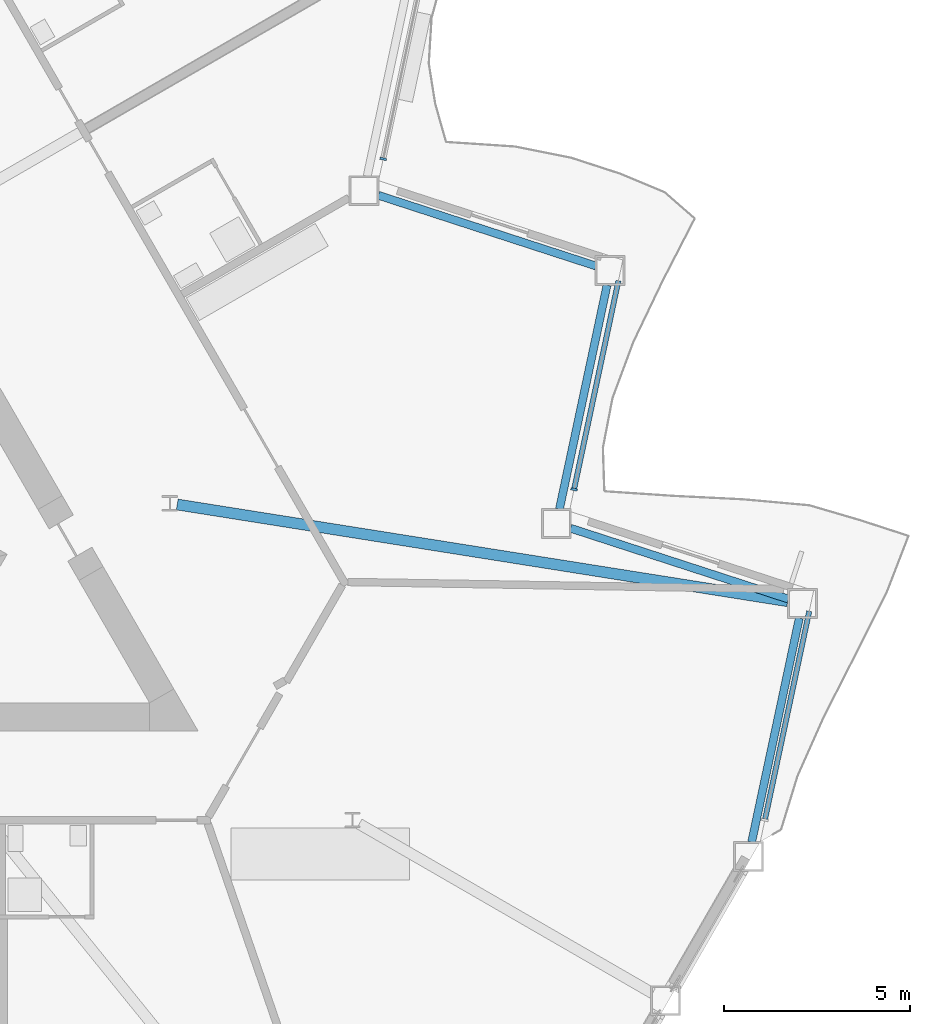
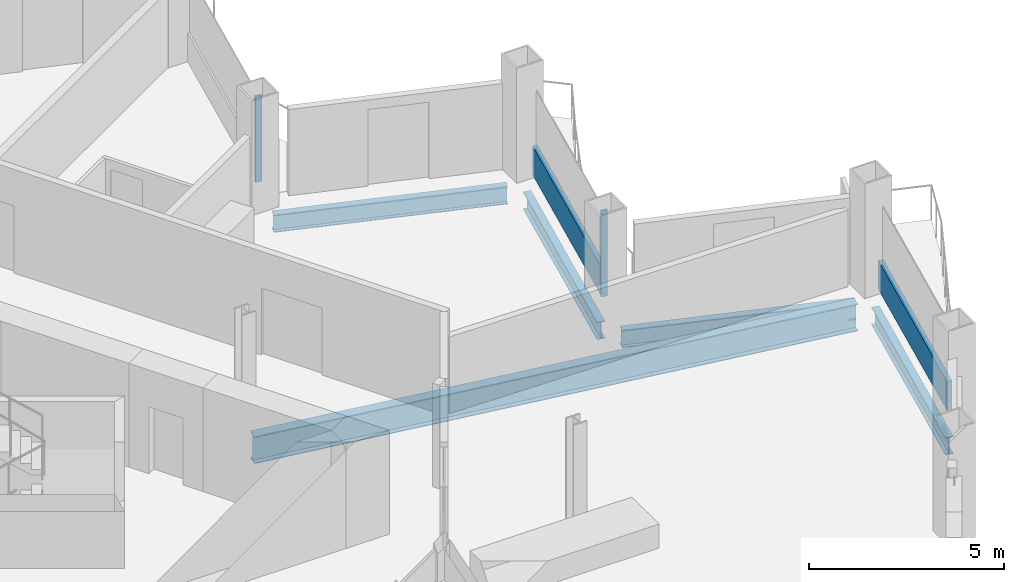
# One storey, part 6 of 23: 5 beams, 4 members, 3 elements without a shape of their own.
"""IFC4 building model written with IfcOpenShell, lengths in metres."""

from ifc_helpers import new_model, si_unit, direction, frame, origin, origin_2d, place, context, subcontext, project, spatial, rectangle, i_section, extrude, material, layer, layer_set, material_profile, profile_set, type_object, element, aggregate, save


model = new_model("IFC4")

# Units and contexts
model_context = context("Model", 3, precision=1e-05, world=origin(), true_north=direction((0.0, 1.0)))
body_context = subcontext(model_context, "Body", "Model", "MODEL_VIEW")
ifc_project = project(units=[si_unit("LENGTHUNIT", "METRE"), si_unit("AREAUNIT", "SQUARE_METRE"), si_unit("VOLUMEUNIT", "CUBIC_METRE"), si_unit("PLANEANGLEUNIT", "RADIAN"), si_unit("MASSUNIT", "GRAM", prefix="KILO")], contexts=[model_context])

# Site, building, storey
site_placement = place(None, origin())
site = spatial("IfcSite", under=ifc_project, at=site_placement, CompositionType="ELEMENT")
building_placement = place(site_placement, origin())
building = spatial("IfcBuilding", under=site, at=building_placement, Name="Cormorant Prow Tower", CompositionType="ELEMENT")
storey_placement = place(building_placement, frame((0.0, 0.0, 183.60009765625)))
storey = spatial("IfcBuildingStorey", under=building, at=storey_placement, Name="L39", CompositionType="ELEMENT", Elevation=183.60009765625)

# Curtain wall, member
ifc_material_1 = material(Name="Aluminium 6063-T6", Category="aluminium")
ifc_layer = layer(ifc_material_1, 0.179931640625)
ifc_layer_set = layer_set([ifc_layer], Name="Aluminium 6063-T6")
curtain_wall_type = type_object("IfcCurtainWallType", Name="Hotel unitised curtain wall 180", PredefinedType="NOTDEFINED", material=ifc_layer_set)
curtain_wall_1_placement = place(storey_placement, origin())
curtain_wall_1 = element("IfcCurtainWall", 1, at=curtain_wall_1_placement, inside=storey, type_object=curtain_wall_type, Name="Hotel curtain wall ENE02", PredefinedType="NOTDEFINED")
ifc_material_2 = material(Name="Aluminium 6063-T6", Category="aluminium")
ifc_material_profile_1 = material_profile(ifc_material_2, rectangle(XDim=0.179931640625, YDim=0.06005859375, at=origin_2d()), Name="Hotel mullion 60x180")
ifc_profile_set_1 = profile_set([ifc_material_profile_1], Name="Aluminium 6063-T6")
member_type_1 = type_object("IfcMemberType", Name="Hotel mullion 60x180", PredefinedType="MULLION", material=ifc_profile_set_1)
member_1_placement = place(storey_placement, frame((25.6044921875, -2.46484375, 0.0), z_axis=(0.0, 0.0, 1.0), x_axis=(-0.978147621102, 0.207911594993, 0.0)))
member_1 = element("IfcMember", 2, at=member_1_placement, type_object=member_type_1, Name="Hotel mullion ENE02", PredefinedType="MULLION", context=body_context, shape_type="SweptSolid", body=[
    extrude(rectangle(XDim=0.179931640625, YDim=0.06005859375, at=origin_2d()), origin(), (0.0, 0.0, 1.0), 2.70068359375),
])

curtain_wall_2_placement = place(storey_placement, origin())
curtain_wall_2 = element("IfcCurtainWall", 3, at=curtain_wall_2_placement, inside=storey, type_object=curtain_wall_type, Name="Hotel curtain wall ENE04", PredefinedType="NOTDEFINED")
member_2_placement = place(storey_placement, frame((20.4775390625, 6.41552734375, 0.0), z_axis=(0.0, 0.0, 1.0), x_axis=(-0.978147585359, 0.207911763151, 0.0)))
member_2 = element("IfcMember", 4, at=member_2_placement, type_object=member_type_1, Name="Hotel mullion ENE04", PredefinedType="MULLION", context=body_context, shape_type="SweptSolid", body=[
    extrude(rectangle(XDim=0.179931640625, YDim=0.06005859375, at=origin_2d()), origin(), (0.0, 0.0, 1.0), 2.70068359375),
])
aggregate(curtain_wall_2, [member_2])

curtain_wall_3_placement = place(storey_placement, origin())
curtain_wall_3 = element("IfcCurtainWall", 5, at=curtain_wall_3_placement, inside=storey, type_object=curtain_wall_type, Name="Hotel curtain wall ENE00", PredefinedType="NOTDEFINED")
ifc_material_3 = material(Name="Terracotta", Category="masonry")
ifc_material_profile_2 = material_profile(ifc_material_3, rectangle(XDim=0.139892578125, YDim=0.89990234375, at=origin_2d()), Name="Hotel terracotta spandrel rail 140x900")
ifc_profile_set_2 = profile_set([ifc_material_profile_2], Name="Terracotta")
member_type_2 = type_object("IfcMemberType", Name="Hotel terracotta spandrel rail 140x900", PredefinedType="USERDEFINED", material=ifc_profile_set_2)
member_3_placement = place(storey_placement, frame((30.738037109375, -11.31591796875, 0.449951171875), z_axis=(0.207915072454, 0.978146881939, 0.0), x_axis=(-0.978146881939, 0.207915072454, 0.0)))
member_3 = element("IfcMember", 6, at=member_3_placement, type_object=member_type_2, Name="Hotel spandrel rail ENE00", ObjectType="TRANSOM", PredefinedType="USERDEFINED", context=body_context, shape_type="SweptSolid", body=[
    extrude(rectangle(XDim=0.139892578125, YDim=0.89990234375, at=origin_2d()), origin(), (0.0, 0.0, 1.0), 5.703125),
])
aggregate(curtain_wall_3, [member_3])

# Member
member_4_placement = place(storey_placement, frame((25.61083984375, -2.435546875, 0.449951171875), z_axis=(0.207915072454, 0.978146881939, 0.0), x_axis=(-0.978146881939, 0.207915072454, 0.0)))
member_4 = element("IfcMember", 7, at=member_4_placement, type_object=member_type_2, Name="Hotel spandrel rail ENE02", ObjectType="TRANSOM", PredefinedType="USERDEFINED", context=body_context, shape_type="SweptSolid", body=[
    extrude(rectangle(XDim=0.139892578125, YDim=0.89990234375, at=origin_2d()), origin(), (0.0, 0.0, 1.0), 5.703125),
])

aggregate(curtain_wall_1, [member_1, member_4])

# Beams
ifc_material_4 = material(Name="Structural steel ASTM A992 Gr 50", Category="steel")
ifc_material_profile_3 = material_profile(ifc_material_4, i_section(OverallWidth=0.29296875, OverallDepth=0.845703125, WebThickness=0.015380859375, FlangeThickness=0.0244140625, at=origin_2d()), Name="W33x141")
ifc_profile_set_3 = profile_set([ifc_material_profile_3], Name="Structural steel ASTM A992 Gr 50")
beam_type_1 = type_object("IfcBeamType", Name="Radial floor beam W33x141", PredefinedType="BEAM", material=ifc_profile_set_3)
beam_1_placement = place(storey_placement, frame((14.94384765625, -2.869140625, -0.77294921875), z_axis=(0.987678058302, -0.156499371084, 0.0), x_axis=(0.156499371084, 0.987678058302, 0.0)))
element("IfcBeam", 8, at=beam_1_placement, inside=storey, type_object=beam_type_1, Name="Radial floor beam FB2 10 L39", PredefinedType="BEAM", context=body_context, shape_type="SweptSolid", body=[
    extrude(i_section(OverallWidth=0.29296875, OverallDepth=0.845703125, WebThickness=0.015380859375, FlangeThickness=0.0244140625, at=origin_2d()), origin(), (0.0, 0.0, 1.0), 16.604736328125),
])
ifc_material_5 = material(Name="Structural steel ASTM A992 Gr 50", Category="steel")
ifc_material_profile_4 = material_profile(ifc_material_5, i_section(OverallWidth=0.2138671875, OverallDepth=0.549072265625, WebThickness=0.0146484375, FlangeThickness=0.023681640625, at=origin_2d()), Name="W21x93")
ifc_profile_set_4 = profile_set([ifc_material_profile_4], Name="Structural steel ASTM A992 Gr 50")
beam_type_2 = type_object("IfcBeamType", Name="Spandrel beam W21x93", PredefinedType="SPANDREL", material=ifc_profile_set_4)
beam_2_placement = place(storey_placement, frame((30.377197265625, -11.93701171875, -0.624755859375), z_axis=(0.207904811195, 0.978149063018, 0.0), x_axis=(-0.978149063018, 0.207904811195, 0.0)))
element("IfcBeam", 9, at=beam_2_placement, inside=storey, type_object=beam_type_2, Name="Spandrel beam SB2 ENE00-ENE01 L39", PredefinedType="SPANDREL", context=body_context, shape_type="SweptSolid", body=[
    extrude(i_section(OverallWidth=0.2138671875, OverallDepth=0.549072265625, WebThickness=0.0146484375, FlangeThickness=0.023681640625, at=origin_2d()), origin(), (0.0, 0.0, 1.0), 6.149658203125),
])
beam_3_placement = place(storey_placement, frame((31.358642578125, -5.40673828125, -0.624755859375), z_axis=(-0.951057696564, 0.309013361859, 0.0), x_axis=(-0.309013361859, -0.951057696564, 0.0)))
element("IfcBeam", 10, at=beam_3_placement, inside=storey, type_object=beam_type_2, Name="Spandrel beam SB2 ENE01-ENE02 L39", PredefinedType="SPANDREL", context=body_context, shape_type="SweptSolid", body=[
    extrude(i_section(OverallWidth=0.2138671875, OverallDepth=0.549072265625, WebThickness=0.0146484375, FlangeThickness=0.023681640625, at=origin_2d()), origin(), (0.0, 0.0, 1.0), 6.14990234375),
])
beam_4_placement = place(storey_placement, frame((25.21240234375, -2.991455078125, -0.624755859375), z_axis=(0.207904811195, 0.978149063018, 0.0), x_axis=(-0.978149063018, 0.207904811195, 0.0)))
element("IfcBeam", 11, at=beam_4_placement, inside=storey, type_object=beam_type_2, Name="Spandrel beam SB2 ENE02-ENE03 L39", PredefinedType="SPANDREL", context=body_context, shape_type="SweptSolid", body=[
    extrude(i_section(OverallWidth=0.2138671875, OverallDepth=0.549072265625, WebThickness=0.0146484375, FlangeThickness=0.023681640625, at=origin_2d()), origin(), (0.0, 0.0, 1.0), 6.149658203125),
])
beam_5_placement = place(storey_placement, frame((26.19384765625, 3.538818359375, -0.624755859375), z_axis=(-0.951057696564, 0.309013361859, 0.0), x_axis=(-0.309013361859, -0.951057696564, 0.0)))
element("IfcBeam", 12, at=beam_5_placement, inside=storey, type_object=beam_type_2, Name="Spandrel beam SB2 ENE03-ENE04 L39", PredefinedType="SPANDREL", context=body_context, shape_type="SweptSolid", body=[
    extrude(i_section(OverallWidth=0.2138671875, OverallDepth=0.549072265625, WebThickness=0.0146484375, FlangeThickness=0.023681640625, at=origin_2d()), origin(), (0.0, 0.0, 1.0), 6.14990234375),
])

save(model, "model.ifc")
